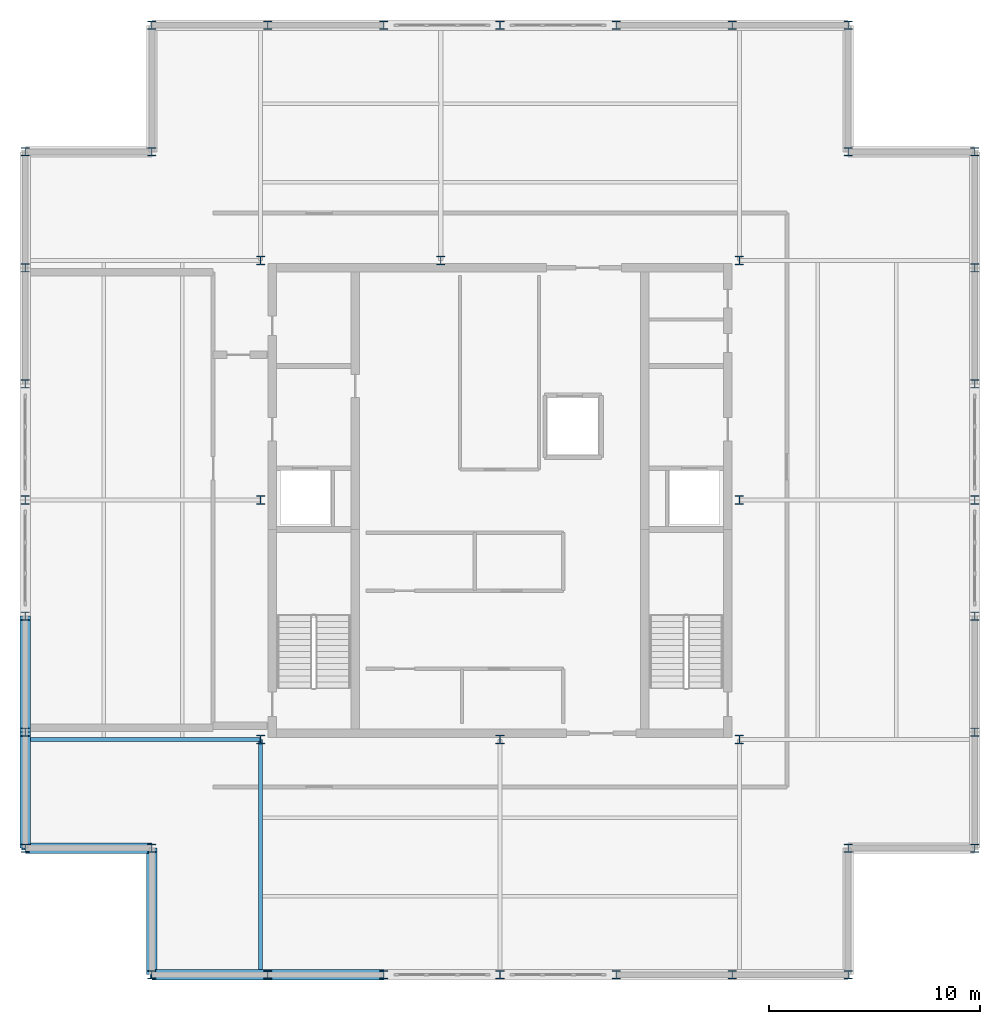
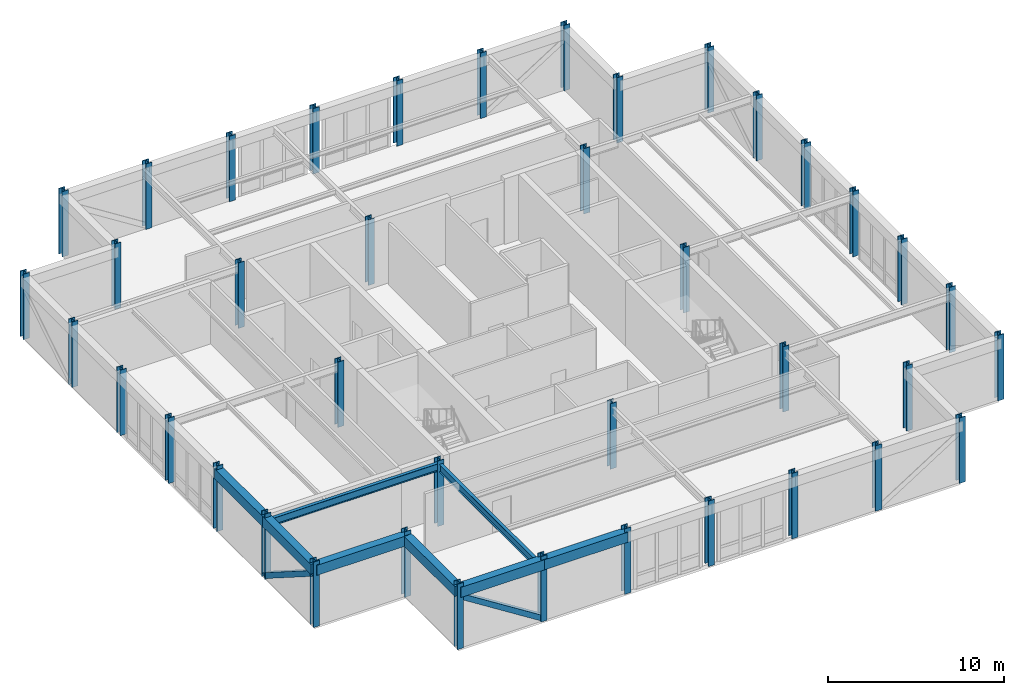
# One storey, part 1 of 9: 40 columns, 8 beams, 2 members.
"""IFC4 building model written with IfcOpenShell, lengths in metres."""

from ifc_helpers import new_model, si_unit, direction, frame, origin, origin_2d, place, context, subcontext, project, spatial, rectangle, hollow_rectangle, i_section, extrude, material, material_profile, profile_set, type_object, element, save


model = new_model("IFC4")

# Units and contexts
model_context = context("Model", 3, precision=1e-05, world=origin(), true_north=direction((0.0, 1.0)))
body_context = subcontext(model_context, "Body", "Model", "MODEL_VIEW")
ifc_project = project(units=[si_unit("LENGTHUNIT", "METRE"), si_unit("AREAUNIT", "SQUARE_METRE"), si_unit("VOLUMEUNIT", "CUBIC_METRE"), si_unit("PLANEANGLEUNIT", "RADIAN"), si_unit("MASSUNIT", "GRAM", prefix="KILO")], contexts=[model_context])

# Site, building, storey
site_placement = place(None, origin())
site = spatial("IfcSite", under=ifc_project, at=site_placement, CompositionType="ELEMENT")
building_placement = place(site_placement, origin())
building = spatial("IfcBuilding", under=site, at=building_placement, Name="Nhamokura Convention Tower", CompositionType="ELEMENT")
storey_placement = place(building_placement, frame((0.0, 0.0, 322.35009765625)))
storey = spatial("IfcBuildingStorey", under=building, at=storey_placement, Name="L79", CompositionType="ELEMENT", Elevation=322.35009765625)

# Columns
ifc_material_1 = material(Name="Steel ASTM A572 Gr 50", Category="steel")
ifc_material_profile_1 = material_profile(ifc_material_1, i_section(OverallWidth=0.404052734375, OverallDepth=0.406982421875, WebThickness=0.027099609375, FlangeThickness=0.043701171875, at=origin_2d()))
ifc_profile_set_1 = profile_set([ifc_material_profile_1], Name="Steel ASTM A572 Gr 50")
column_type = type_object("IfcColumnType", Name="CrownColumn_W360X347", PredefinedType="COLUMN", material=ifc_profile_set_1)
for number, where, z_axis, x_axis, name in (
    (1, (20.64990234375, 20.64990234375, 0.0), (0.0, 0.0, 1.0), (1.0, 0.0, 0.0), "L79 Core Column CC-SW"),
    (2, (32.0, 20.64990234375, 0.0), (0.0, 0.0, 1.0), (1.0, 0.0, 0.0), "L79 Core Column CC-S"),
    (3, (43.35009765625, 20.64990234375, 0.0), (0.0, 0.0, 1.0), (1.0, 0.0, 0.0), "L79 Core Column CC-SE"),
    (4, (43.35009765625, 32.0, 0.0), (0.0, 0.0, 1.0), (1.0, 0.0, 0.0), "L79 Core Column CC-E"),
    (5, (43.35009765625, 43.35009765625, 0.0), (0.0, 0.0, 1.0), (1.0, 0.0, 0.0), "L79 Core Column CC-NE"),
    (6, (29.199951171875, 43.35009765625, 0.0), (0.0, 0.0, 1.0), (1.0, 0.0, 0.0), "L79 Core Column CC-N"),
    (7, (20.64990234375, 43.35009765625, 0.0), (0.0, 0.0, 1.0), (1.0, 0.0, 0.0), "L79 Core Column CC-NW"),
    (8, (20.64990234375, 32.0, 0.0), (0.0, 0.0, 1.0), (1.0, 0.0, 0.0), "L79 Core Column CC-W"),
    (9, (15.5, 9.5, 0.0), (0.0, 0.0, 1.0), (1.0, 0.0, 0.0), "L79 Perimeter Tube Column SW1"),
    (10, (15.5, 15.5, 0.0), (0.0, 0.0, 1.0), (1.0, 0.0, 0.0), "L79 Perimeter Tube Column SW0"),
    (11, (9.5, 15.5, 0.0), (0.0, 0.0, 1.0), (1.0, 0.0, 0.0), "L79 Perimeter Tube Column SW2"),
    (12, (48.5, 9.5, 0.0), (0.0, 0.0, 1.0), (1.0, 0.0, 0.0), "L79 Perimeter Tube Column SE1"),
    (13, (48.5, 15.5, 0.0), (0.0, 0.0, 1.0), (1.0, 0.0, 0.0), "L79 Perimeter Tube Column SE0"),
    (14, (54.5, 15.5, 0.0), (0.0, 0.0, 1.0), (1.0, 0.0, 0.0), "L79 Perimeter Tube Column SE2"),
    (15, (54.5, 48.5, 0.0), (0.0, 0.0, 1.0), (1.0, 0.0, 0.0), "L79 Perimeter Tube Column NE1"),
    (16, (48.5, 48.5, 0.0), (0.0, 0.0, 1.0), (1.0, 0.0, 0.0), "L79 Perimeter Tube Column NE0"),
    (17, (48.5, 54.5, 0.0), (0.0, 0.0, 1.0), (1.0, 0.0, 0.0), "L79 Perimeter Tube Column NE2"),
    (18, (15.5, 54.5, 0.0), (0.0, 0.0, 1.0), (1.0, 0.0, 0.0), "L79 Perimeter Tube Column NW1"),
    (19, (15.5, 48.5, 0.0), (0.0, 0.0, 1.0), (1.0, 0.0, 0.0), "L79 Perimeter Tube Column NW0"),
    (20, (9.5, 48.5, 0.0), (0.0, 0.0, 1.0), (1.0, 0.0, 0.0), "L79 Perimeter Tube Column NW2"),
    (21, (21.0, 9.5, 0.0), (0.0, 0.0, 1.0), (1.0, 0.0, 0.0), "L79 Perimeter Tube Column S1"),
    (22, (21.0, 54.5, 0.0), (0.0, 0.0, 1.0), (1.0, 0.0, 0.0), "L79 Perimeter Tube Column N1"),
    (23, (9.5, 21.0, 0.0), (0.0, 0.0, 1.0), (1.0, 0.0, 0.0), "L79 Perimeter Tube Column W1"),
    (24, (54.5, 21.0, 0.0), (0.0, 0.0, 1.0), (1.0, 0.0, 0.0), "L79 Perimeter Tube Column E1"),
    (25, (26.5, 9.5, 0.0), (0.0, 0.0, 1.0), (1.0, 0.0, 0.0), "L79 Perimeter Tube Column S2"),
    (26, (26.5, 54.5, 0.0), (0.0, 0.0, 1.0), (1.0, 0.0, 0.0), "L79 Perimeter Tube Column N2"),
    (27, (9.5, 26.5, 0.0), (0.0, 0.0, 1.0), (1.0, 0.0, 0.0), "L79 Perimeter Tube Column W2"),
    (28, (54.5, 26.5, 0.0), (0.0, 0.0, 1.0), (1.0, 0.0, 0.0), "L79 Perimeter Tube Column E2"),
    (29, (32.0, 9.5, 0.0), (0.0, 0.0, 1.0), (1.0, 0.0, 0.0), "L79 Perimeter Tube Column S3"),
    (30, (32.0, 54.5, 0.0), (0.0, 0.0, 1.0), (1.0, 0.0, 0.0), "L79 Perimeter Tube Column N3"),
    (31, (9.5, 32.0, 0.0), (0.0, 0.0, 1.0), (1.0, 0.0, 0.0), "L79 Perimeter Tube Column W3"),
    (32, (54.5, 32.0, 0.0), (0.0, 0.0, 1.0), (1.0, 0.0, 0.0), "L79 Perimeter Tube Column E3"),
    (33, (37.5, 9.5, 0.0), (0.0, 0.0, 1.0), (1.0, 0.0, 0.0), "L79 Perimeter Tube Column S4"),
    (34, (37.5, 54.5, 0.0), (0.0, 0.0, 1.0), (1.0, 0.0, 0.0), "L79 Perimeter Tube Column N4"),
    (35, (9.5, 37.5, 0.0), (0.0, 0.0, 1.0), (1.0, 0.0, 0.0), "L79 Perimeter Tube Column W4"),
    (36, (54.5, 37.5, 0.0), (0.0, 0.0, 1.0), (1.0, 0.0, 0.0), "L79 Perimeter Tube Column E4"),
    (37, (43.0, 9.5, 0.0), (0.0, 0.0, 1.0), (1.0, 0.0, 0.0), "L79 Perimeter Tube Column S5"),
    (38, (43.0, 54.5, 0.0), (0.0, 0.0, 1.0), (1.0, 0.0, 0.0), "L79 Perimeter Tube Column N5"),
    (39, (9.5, 43.0, 0.0), (0.0, 0.0, 1.0), (1.0, 0.0, 0.0), "L79 Perimeter Tube Column W5"),
    (40, (54.5, 43.0, 0.0), (0.0, 0.0, 1.0), (1.0, 0.0, 0.0), "L79 Perimeter Tube Column E5"),
):
    element("IfcColumn", number, at=place(storey_placement, frame(where, z_axis=z_axis, x_axis=x_axis)), inside=storey, type_object=column_type, Name=name, PredefinedType="COLUMN", context=body_context, shape_type="SweptSolid", body=[
        extrude(i_section(OverallWidth=0.404052734375, OverallDepth=0.406982421875, WebThickness=0.027099609375, FlangeThickness=0.043701171875, at=origin_2d()), origin(), (0.0, 0.0, 1.0), 4.5498046875),
    ])

# Beams
ifc_material_2 = material(Name="Steel ASTM A992 Gr 50", Category="steel")
ifc_material_profile_2 = material_profile(ifc_material_2, i_section(OverallWidth=0.208984375, OverallDepth=0.532958984375, WebThickness=0.01025390625, FlangeThickness=0.015625, at=origin_2d()))
ifc_profile_set_2 = profile_set([ifc_material_profile_2], Name="Steel ASTM A992 Gr 50")
beam_type_1 = type_object("IfcBeamType", Name="PrimaryGirder_W530X92", PredefinedType="BEAM", material=ifc_profile_set_2)
for number, where, z_axis, x_axis, name in (
    (41, (20.64990234375, 9.5, 4.0234375), (0.0, 1.0, 0.0), (-1.0, 0.0, 0.0), "L79 Primary Floor Girder PG-S1"),
    (42, (9.5, 20.64990234375, 4.0234375), (1.0, 0.0, 0.0), (0.0, 1.0, 0.0), "L79 Primary Floor Girder PG-W1"),
):
    element("IfcBeam", number, at=place(storey_placement, frame(where, z_axis=z_axis, x_axis=x_axis)), inside=storey, type_object=beam_type_1, Name=name, PredefinedType="BEAM", context=body_context, shape_type="SweptSolid", body=[
        extrude(i_section(OverallWidth=0.208984375, OverallDepth=0.532958984375, WebThickness=0.01025390625, FlangeThickness=0.015625, at=origin_2d()), origin(), (0.0, 0.0, 1.0), 11.14990234375),
    ])

# Members
ifc_material_3 = material(Name="Steel ASTM A572 Gr 50", Category="steel")
ifc_material_profile_3 = material_profile(ifc_material_3, hollow_rectangle(XDim=0.35009765625, YDim=0.35009765625, WallThickness=0.01611328125, at=origin_2d()))
ifc_profile_set_3 = profile_set([ifc_material_profile_3], Name="Steel ASTM A572 Gr 50")
member_type = type_object("IfcMemberType", Name="TubeBrace_HSS350", PredefinedType="BRACE", material=ifc_profile_set_3)
for number, where, z_axis, x_axis, name in (
    (43, (21.0, 9.5, 0.14990234375), (-0.84435681045, 0.0, 0.535781276872), (0.0, -1.0, 0.0), "L79 Perimeter Tube Brace SOUTH Bay 0"),
    (44, (9.5, 21.0, 0.14990234375), (0.0, -0.84435681045, 0.535781276872), (1.0, 0.0, 0.0), "L79 Perimeter Tube Brace WEST Bay 0"),
):
    element("IfcMember", number, at=place(storey_placement, frame(where, z_axis=z_axis, x_axis=x_axis)), inside=storey, type_object=member_type, Name=name, PredefinedType="BRACE", context=body_context, shape_type="SweptSolid", body=[
        extrude(hollow_rectangle(XDim=0.35009765625, YDim=0.35009765625, WallThickness=0.01611328125, at=origin_2d()), origin(), (0.0, 0.0, 1.0), 6.513916015625),
    ])

# Beams
ifc_material_4 = material(Name="Concrete C50/60", Category="concrete")
ifc_material_profile_4 = material_profile(ifc_material_4, rectangle(XDim=0.5, YDim=0.699951171875, at=origin_2d()))
ifc_profile_set_4 = profile_set([ifc_material_profile_4], Name="Concrete C50/60")
beam_type_2 = type_object("IfcBeamType", Name="TubeSpandrel_700", PredefinedType="SPANDREL", material=ifc_profile_set_4)
for number, where, z_axis, x_axis, name in (
    (45, (15.5, 9.5, 3.93994140625), (1.0, 0.0, 0.0), (0.0, 1.0, 0.0), "L79 Perimeter Spandrel SOUTH 1"),
    (46, (21.0, 9.5, 3.93994140625), (1.0, 0.0, 0.0), (0.0, 1.0, 0.0), "L79 Perimeter Spandrel SOUTH 2"),
    (47, (9.5, 15.5, 3.93994140625), (0.0, 1.0, 0.0), (-1.0, 0.0, 0.0), "L79 Perimeter Spandrel WEST 1"),
    (48, (9.5, 21.0, 3.93994140625), (0.0, 1.0, 0.0), (-1.0, 0.0, 0.0), "L79 Perimeter Spandrel WEST 2"),
):
    element("IfcBeam", number, at=place(storey_placement, frame(where, z_axis=z_axis, x_axis=x_axis)), inside=storey, type_object=beam_type_2, Name=name, PredefinedType="SPANDREL", context=body_context, shape_type="SweptSolid", body=[
        extrude(rectangle(XDim=0.5, YDim=0.699951171875, at=origin_2d()), origin(), (0.0, 0.0, 1.0), 5.5),
    ])
for number, where, z_axis, x_axis, name in (
    (49, (15.5, 9.5, 3.93994140625), (0.0, 1.0, 0.0), (-1.0, 0.0, 0.0), "L79 Notch Spandrel SW1"),
    (50, (15.5, 15.5, 3.93994140625), (-1.0, 0.0, 0.0), (0.0, -1.0, 0.0), "L79 Notch Spandrel SW2"),
):
    element("IfcBeam", number, at=place(storey_placement, frame(where, z_axis=z_axis, x_axis=x_axis)), inside=storey, type_object=beam_type_2, Name=name, PredefinedType="SPANDREL", context=body_context, shape_type="SweptSolid", body=[
        extrude(rectangle(XDim=0.5, YDim=0.699951171875, at=origin_2d()), origin(), (0.0, 0.0, 1.0), 6.0),
    ])

save(model, "model.ifc")
